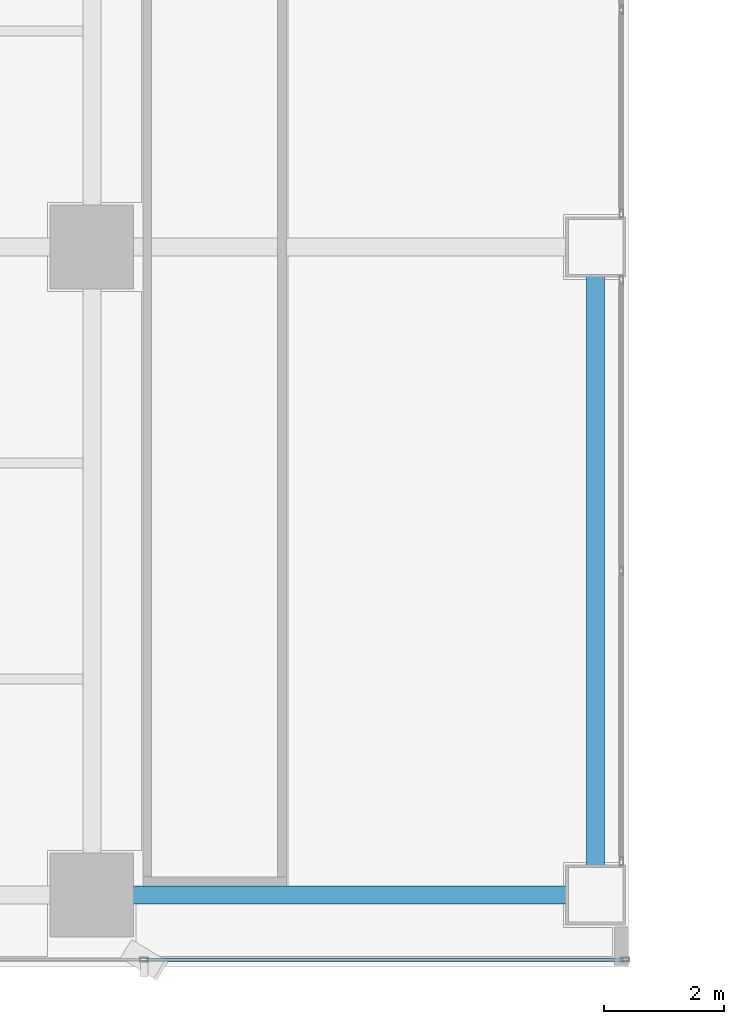
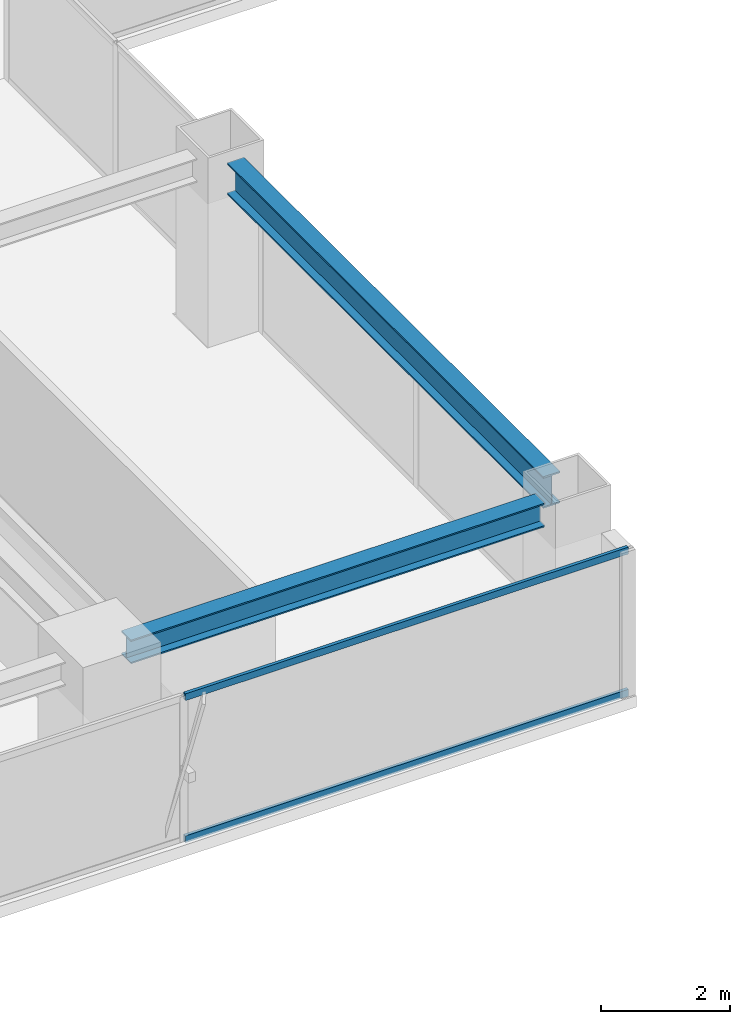
# One storey, part 3 of 29: 2 beams, 2 members, 1 element without a shape of its own.
"""IFC4 building model written with IfcOpenShell, lengths in metres."""

from ifc_helpers import new_model, si_unit, direction, frame, origin, origin_2d, place, context, subcontext, project, spatial, hollow_rectangle, i_section, extrude, source, transform, mapped, material, layer, layer_set, material_profile, profile_set, type_object, element, aggregate, save


model = new_model("IFC4")

# Units and contexts
model_context = context("Model", 3, precision=1e-05, world=origin(), true_north=direction((0.0, 1.0)))
body_context = subcontext(model_context, "Body", "Model", "MODEL_VIEW")
ifc_project = project(units=[si_unit("LENGTHUNIT", "METRE"), si_unit("AREAUNIT", "SQUARE_METRE"), si_unit("VOLUMEUNIT", "CUBIC_METRE"), si_unit("PLANEANGLEUNIT", "RADIAN"), si_unit("MASSUNIT", "GRAM", prefix="KILO")], contexts=[model_context])

# Site, building, storey
site_placement = place(None, origin())
site = spatial("IfcSite", under=ifc_project, at=site_placement, CompositionType="ELEMENT")
building_placement = place(site_placement, origin())
building = spatial("IfcBuilding", under=site, at=building_placement, Name="Sumidabori Civic Tower", CompositionType="ELEMENT")
storey_placement = place(building_placement, frame((0.0, 0.0, 214.39990234375)))
storey = spatial("IfcBuildingStorey", under=building, at=storey_placement, Name="L55", CompositionType="ELEMENT", Elevation=214.39990234375)

# Beams
ifc_material_1 = material(Name="Steel SN490", Category="steel")
ifc_material_profile_1 = material_profile(ifc_material_1, i_section(OverallWidth=0.300048828125, OverallDepth=0.60009765625, WebThickness=0.015380859375, FlangeThickness=0.030029296875, at=origin_2d()), Name="HE 600 B")
ifc_profile_set_1 = profile_set([ifc_material_profile_1], Name="Steel SN490")
beam_type_1 = type_object("IfcBeamType", Name="BM-GIRD-600", PredefinedType="BEAM", material=ifc_profile_set_1)
shared_shape_1 = source(origin(), body_context, "Body", "SweptSolid", [
    extrude(i_section(OverallWidth=0.300048828125, OverallDepth=0.60009765625, WebThickness=0.015380859375, FlangeThickness=0.030029296875, at=origin_2d()), origin(), (0.0, 0.0, 1.0), 9.840087890625),
])
beam_1_placement = place(storey_placement, frame((-8.39990234375, -10.320068359375, 3.080078125), z_axis=(0.0, 1.0, 0.0), x_axis=(-1.0, 0.0, 0.0)))
element("IfcBeam", 1, at=beam_1_placement, inside=storey, type_object=beam_type_1, Name="Primary Girder L55 GY-17", PredefinedType="BEAM", context=body_context, shape_type="MappedRepresentation", body=[
    mapped(shared_shape_1, transform((0.0, 0.0, 0.0), x_axis=(1.0, 0.0, 0.0), y_axis=(0.0, 1.0, 0.0), z_axis=(0.0, 0.0, 1.0), scale=1.0)),
])
ifc_material_profile_2 = material_profile(ifc_material_1, i_section(OverallWidth=0.300048828125, OverallDepth=0.449951171875, WebThickness=0.013916015625, FlangeThickness=0.02587890625, at=origin_2d()), Name="HE 450 B")
ifc_profile_set_2 = profile_set([ifc_material_profile_2], Name="Steel SN490")
beam_type_2 = type_object("IfcBeamType", Name="BM-GIRD-450", PredefinedType="BEAM", material=ifc_profile_set_2)
shared_shape_2 = source(origin(), body_context, "Body", "SweptSolid", [
    extrude(i_section(OverallWidth=0.300048828125, OverallDepth=0.449951171875, WebThickness=0.013916015625, FlangeThickness=0.02587890625, at=origin_2d()), origin(), (0.0, 0.0, 1.0), 7.440185546875),
])
beam_2_placement = place(storey_placement, frame((-16.320068359375, -10.800048828125, 3.155029296875), z_axis=(1.0, 0.0, 0.0), x_axis=(0.0, 1.0, 0.0)))
element("IfcBeam", 2, at=beam_2_placement, inside=storey, type_object=beam_type_2, Name="Primary Girder L55 GX-02", PredefinedType="BEAM", context=body_context, shape_type="MappedRepresentation", body=[
    mapped(shared_shape_2, transform((0.0, 0.0, 0.0), x_axis=(1.0, 0.0, 0.0), y_axis=(0.0, 1.0, 0.0), z_axis=(0.0, 0.0, 1.0), scale=1.0)),
])

# Curtain wall, members
ifc_material_2 = material(Name="Anodised Bronze Aluminium AW-6063-T6", Category="aluminium")
ifc_layer = layer(ifc_material_2, 0.179931640625, Name="Anodised Bronze Aluminium AW-6063-T6")
ifc_layer_set = layer_set([ifc_layer], Name="Anodised Bronze Aluminium AW-6063-T6")
curtain_wall_type = type_object("IfcCurtainWallType", Name="CW-SYS-5", PredefinedType="NOTDEFINED", material=ifc_layer_set)
curtain_wall_placement = place(storey_placement, origin())
curtain_wall = element("IfcCurtainWall", 3, at=curtain_wall_placement, inside=storey, type_object=curtain_wall_type, Name="Curtain Wall CW:L55:R01", PredefinedType="NOTDEFINED")
ifc_material_profile_3 = material_profile(ifc_material_2, hollow_rectangle(XDim=0.06005859375, YDim=0.1298828125, WallThickness=0.0048828125, at=origin_2d()), Name="ALU TRANSOM 130x60")
ifc_profile_set_3 = profile_set([ifc_material_profile_3], Name="Anodised Bronze Aluminium AW-6063-T6")
member_type = type_object("IfcMemberType", Name="CW-TRN-130", PredefinedType="USERDEFINED", material=ifc_profile_set_3)
shared_shape_3 = source(origin(), body_context, "Body", "SweptSolid", [
    extrude(hollow_rectangle(XDim=0.06005859375, YDim=0.1298828125, WallThickness=0.0048828125, at=origin_2d()), origin(), (0.0, 0.0, 1.0), 7.955078125),
])
member_1_placement = place(storey_placement, frame((-15.89501953125, -11.8798828125, 0.030029296875), z_axis=(1.0, 0.0, 0.0), x_axis=(0.0, 1.0, 0.0)))
member_1 = element("IfcMember", 4, at=member_1_placement, type_object=member_type, Name="CW-5 transom 2.1", ObjectType="TRANSOM", PredefinedType="USERDEFINED", context=body_context, shape_type="MappedRepresentation", body=[
    mapped(shared_shape_3, transform((0.0, 0.0, 0.0), x_axis=(1.0, 0.0, 0.0), y_axis=(0.0, 1.0, 0.0), z_axis=(0.0, 0.0, 1.0), scale=1.0)),
])
member_2_placement = place(storey_placement, frame((-15.89501953125, -11.8798828125, 2.72998046875), z_axis=(1.0, 0.0, 0.0), x_axis=(0.0, 1.0, 0.0)))
member_2 = element("IfcMember", 5, at=member_2_placement, type_object=member_type, Name="CW-5 transom 2.2", ObjectType="TRANSOM", PredefinedType="USERDEFINED", context=body_context, shape_type="MappedRepresentation", body=[
    mapped(shared_shape_3, transform((0.0, 0.0, 0.0), x_axis=(1.0, 0.0, 0.0), y_axis=(0.0, 1.0, 0.0), z_axis=(0.0, 0.0, 1.0), scale=1.0)),
])
aggregate(curtain_wall, [member_1, member_2])

save(model, "model.ifc")
